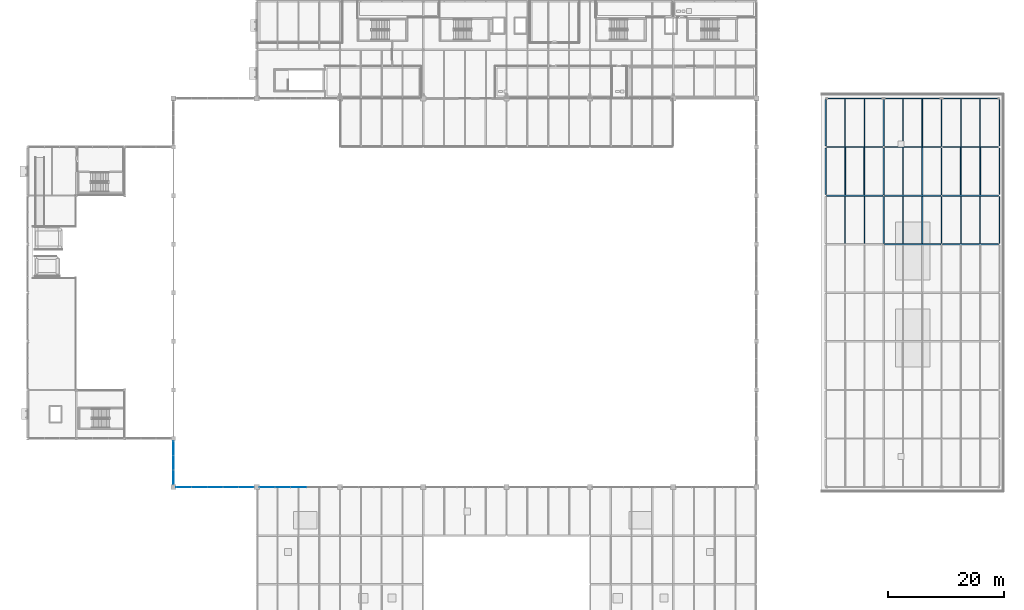
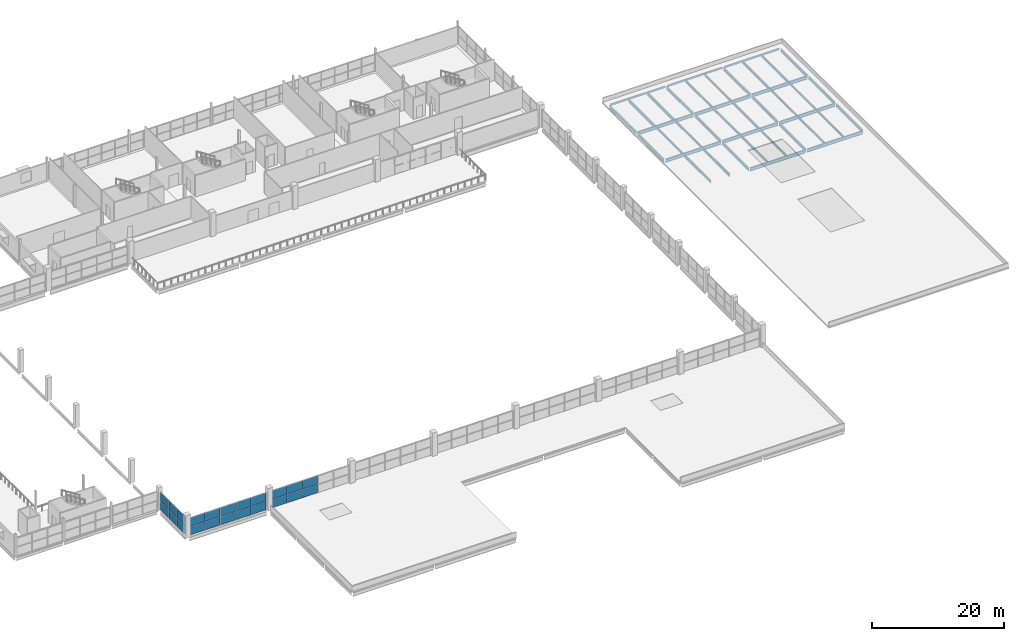
# One storey, part 68 of 93: 40 beams, 22 plates, 3 elements without a shape of their own.
"""IFC4 building model written with IfcOpenShell, lengths in metres."""

from ifc_helpers import new_model, si_unit, direction, frame, origin, origin_2d, place, context, subcontext, project, spatial, rectangle, hollow_rectangle, i_section, extrude, material, layer, layer_set, material_profile, profile_set, type_object, element, aggregate, save


model = new_model("IFC4")

# Units and contexts
model_context = context("Model", 3, precision=1e-05, world=origin(), true_north=direction((0.0, 1.0)))
body_context = subcontext(model_context, "Body", "Model", "MODEL_VIEW")
ifc_project = project(units=[si_unit("LENGTHUNIT", "METRE"), si_unit("AREAUNIT", "SQUARE_METRE"), si_unit("VOLUMEUNIT", "CUBIC_METRE"), si_unit("PLANEANGLEUNIT", "RADIAN"), si_unit("MASSUNIT", "GRAM", prefix="KILO"), si_unit("THERMODYNAMICTEMPERATUREUNIT", "KELVIN")], contexts=[model_context])

# Site, building, storey
site_placement = place(None, origin())
site = spatial("IfcSite", under=ifc_project, at=site_placement, CompositionType="ELEMENT")
building_placement = place(site_placement, origin())
building = spatial("IfcBuilding", under=site, at=building_placement, Name="Nduvali Passage Aquatics Centre", CompositionType="ELEMENT")
storey_placement = place(building_placement, frame((0.0, 0.0, 9.0)))
storey = spatial("IfcBuildingStorey", under=building, at=storey_placement, Name="L02", CompositionType="ELEMENT", Elevation=9.0)

# Beams
ifc_material_1 = material(Name="Steel S355", Category="steel")
ifc_material_profile_1 = material_profile(ifc_material_1, i_section(OverallWidth=0.210693359375, OverallDepth=0.53955078125, WebThickness=0.01171875, FlangeThickness=0.018798828125, FilletRadius=0.0126953125, at=origin_2d()), Name="UKB 533x210x109")
ifc_profile_set_1 = profile_set([ifc_material_profile_1], Name="Steel S355")
beam_type_1 = type_object("IfcBeamType", Name="STR-BM-UKB533", PredefinedType="BEAM", material=ifc_profile_set_1)
beam_1_placement = place(storey_placement, frame((148.0, 67.3349609375, -0.493896484375), z_axis=(0.0, 1.0, 0.0), x_axis=(-1.0, 0.0, 0.0)))
element("IfcBeam", 1, at=beam_1_placement, inside=storey, type_object=beam_type_1, Name="L02 Primary Y-Girder B6-1034", PredefinedType="BEAM", context=body_context, shape_type="SweptSolid", body=[
    extrude(i_section(OverallWidth=0.210693359375, OverallDepth=0.53955078125, WebThickness=0.01171875, FlangeThickness=0.018798828125, FilletRadius=0.0126953125, at=origin_2d()), origin(), (0.0, 0.0, 1.0), 8.130126953125),
])
for number, where, z_axis, x_axis, name in (
    (2, (148.0, 75.735107421875, -0.493896484375), (0.0, 1.0, 0.0), (-1.0, 0.0, 0.0), "L02 Primary Y-Girder B6-1035"),
    (3, (148.0, 84.135009765625, -0.493896484375), (0.0, 1.0, 0.0), (-1.0, 0.0, 0.0), "L02 Primary Y-Girder B6-1036"),
):
    element("IfcBeam", number, at=place(storey_placement, frame(where, z_axis=z_axis, x_axis=x_axis)), inside=storey, type_object=beam_type_1, Name=name, PredefinedType="BEAM", context=body_context, shape_type="SweptSolid", body=[
        extrude(i_section(OverallWidth=0.210693359375, OverallDepth=0.53955078125, WebThickness=0.01171875, FlangeThickness=0.018798828125, FilletRadius=0.0126953125, at=origin_2d()), origin(), (0.0, 0.0, 1.0), 8.1298828125),
    ])
for number, where, z_axis, x_axis, name in (
    (4, (158.0, 67.330078125, -0.493896484375), (0.0, 1.0, 0.0), (-1.0, 0.0, 0.0), "L02 Primary Y-Girder B6-1042"),
    (5, (158.0, 75.72998046875, -0.493896484375), (0.0, 1.0, 0.0), (-1.0, 0.0, 0.0), "L02 Primary Y-Girder B6-1043"),
    (6, (158.0, 84.130126953125, -0.493896484375), (0.0, 1.0, 0.0), (-1.0, 0.0, 0.0), "L02 Primary Y-Girder B6-1044"),
):
    element("IfcBeam", number, at=place(storey_placement, frame(where, z_axis=z_axis, x_axis=x_axis)), inside=storey, type_object=beam_type_1, Name=name, PredefinedType="BEAM", context=body_context, shape_type="SweptSolid", body=[
        extrude(i_section(OverallWidth=0.210693359375, OverallDepth=0.53955078125, WebThickness=0.01171875, FlangeThickness=0.018798828125, FilletRadius=0.0126953125, at=origin_2d()), origin(), (0.0, 0.0, 1.0), 8.139892578125),
    ])
ifc_material_profile_2 = material_profile(ifc_material_1, i_section(OverallWidth=0.210693359375, OverallDepth=0.53955078125, WebThickness=0.01171875, FlangeThickness=0.018798828125, FilletRadius=0.0126953125, at=origin_2d()), Name="UKB 533x210x109")
ifc_profile_set_2 = profile_set([ifc_material_profile_2], Name="Steel S355")
beam_type_2 = type_object("IfcBeamType", Name="STR-BM-UKB533-EXT", PredefinedType="BEAM", material=ifc_profile_set_2)
for number, where, z_axis, x_axis, name in (
    (7, (138.0, 75.75, -0.493896484375), (0.0, 1.0, 0.0), (-1.0, 0.0, 0.0), "L02 Primary Y-Girder B6E-1027"),
    (8, (138.0, 84.14990234375, -0.493896484375), (0.0, 1.0, 0.0), (-1.0, 0.0, 0.0), "L02 Primary Y-Girder B6E-1028"),
):
    element("IfcBeam", number, at=place(storey_placement, frame(where, z_axis=z_axis, x_axis=x_axis)), inside=storey, type_object=beam_type_2, Name=name, PredefinedType="BEAM", context=body_context, shape_type="SweptSolid", body=[
        extrude(i_section(OverallWidth=0.210693359375, OverallDepth=0.53955078125, WebThickness=0.01171875, FlangeThickness=0.018798828125, FilletRadius=0.0126953125, at=origin_2d()), origin(), (0.0, 0.0, 1.0), 8.10009765625),
    ])
for number, where, z_axis, x_axis, name in (
    (9, (168.0, 67.35498046875, -0.493896484375), (0.0, 1.0, 0.0), (-1.0, 0.0, 0.0), "L02 Primary Y-Girder B6E-1050"),
    (10, (168.0, 75.7548828125, -0.493896484375), (0.0, 1.0, 0.0), (-1.0, 0.0, 0.0), "L02 Primary Y-Girder B6E-1051"),
    (11, (168.0, 84.155029296875, -0.493896484375), (0.0, 1.0, 0.0), (-1.0, 0.0, 0.0), "L02 Primary Y-Girder B6E-1052"),
):
    element("IfcBeam", number, at=place(storey_placement, frame(where, z_axis=z_axis, x_axis=x_axis)), inside=storey, type_object=beam_type_2, Name=name, PredefinedType="BEAM", context=body_context, shape_type="SweptSolid", body=[
        extrude(i_section(OverallWidth=0.210693359375, OverallDepth=0.53955078125, WebThickness=0.01171875, FlangeThickness=0.018798828125, FilletRadius=0.0126953125, at=origin_2d()), origin(), (0.0, 0.0, 1.0), 8.090087890625),
    ])
ifc_material_profile_3 = material_profile(ifc_material_1, i_section(OverallWidth=0.22900390625, OverallDepth=0.6123046875, WebThickness=0.011962890625, FlangeThickness=0.01953125, FilletRadius=0.0126953125, at=origin_2d()), Name="UKB 610x229x125")
ifc_profile_set_3 = profile_set([ifc_material_profile_3], Name="Steel S355")
beam_type_3 = type_object("IfcBeamType", Name="STR-BM-UKB610", PredefinedType="BEAM", material=ifc_profile_set_3)
beam_2_placement = place(storey_placement, frame((148.139892578125, 67.199951171875, -0.530029296875), z_axis=(1.0, 0.0, 0.0), x_axis=(0.0, 1.0, 0.0)))
element("IfcBeam", 12, at=beam_2_placement, inside=storey, type_object=beam_type_3, Name="L02 Primary X-Girder B5-0903", PredefinedType="BEAM", context=body_context, shape_type="SweptSolid", body=[
    extrude(i_section(OverallWidth=0.22900390625, OverallDepth=0.6123046875, WebThickness=0.011962890625, FlangeThickness=0.01953125, FilletRadius=0.0126953125, at=origin_2d()), origin(), (0.0, 0.0, 1.0), 9.73193359375),
])
beam_3_placement = place(storey_placement, frame((158.128173828125, 67.199951171875, -0.530029296875), z_axis=(1.0, 0.0, 0.0), x_axis=(0.0, 1.0, 0.0)))
element("IfcBeam", 13, at=beam_3_placement, inside=storey, type_object=beam_type_3, Name="L02 Primary X-Girder B5-0904", PredefinedType="BEAM", context=body_context, shape_type="SweptSolid", body=[
    extrude(i_section(OverallWidth=0.22900390625, OverallDepth=0.6123046875, WebThickness=0.011962890625, FlangeThickness=0.01953125, FilletRadius=0.0126953125, at=origin_2d()), origin(), (0.0, 0.0, 1.0), 9.721923828125),
])
beam_4_placement = place(storey_placement, frame((138.14990234375, 75.60009765625, -0.530029296875), z_axis=(1.0, 0.0, 0.0), x_axis=(0.0, 1.0, 0.0)))
element("IfcBeam", 14, at=beam_4_placement, inside=storey, type_object=beam_type_3, Name="L02 Primary X-Girder B5-0908", PredefinedType="BEAM", context=body_context, shape_type="SweptSolid", body=[
    extrude(i_section(OverallWidth=0.22900390625, OverallDepth=0.6123046875, WebThickness=0.011962890625, FlangeThickness=0.01953125, FilletRadius=0.0126953125, at=origin_2d()), origin(), (0.0, 0.0, 1.0), 9.710205078125),
])
beam_5_placement = place(storey_placement, frame((148.139892578125, 75.60009765625, -0.530029296875), z_axis=(1.0, 0.0, 0.0), x_axis=(0.0, 1.0, 0.0)))
element("IfcBeam", 15, at=beam_5_placement, inside=storey, type_object=beam_type_3, Name="L02 Primary X-Girder B5-0909", PredefinedType="BEAM", context=body_context, shape_type="SweptSolid", body=[
    extrude(i_section(OverallWidth=0.22900390625, OverallDepth=0.6123046875, WebThickness=0.011962890625, FlangeThickness=0.01953125, FilletRadius=0.0126953125, at=origin_2d()), origin(), (0.0, 0.0, 1.0), 9.73193359375),
])
beam_6_placement = place(storey_placement, frame((158.128173828125, 75.60009765625, -0.530029296875), z_axis=(1.0, 0.0, 0.0), x_axis=(0.0, 1.0, 0.0)))
element("IfcBeam", 16, at=beam_6_placement, inside=storey, type_object=beam_type_3, Name="L02 Primary X-Girder B5-0910", PredefinedType="BEAM", context=body_context, shape_type="SweptSolid", body=[
    extrude(i_section(OverallWidth=0.22900390625, OverallDepth=0.6123046875, WebThickness=0.011962890625, FlangeThickness=0.01953125, FilletRadius=0.0126953125, at=origin_2d()), origin(), (0.0, 0.0, 1.0), 9.721923828125),
])
beam_7_placement = place(storey_placement, frame((138.14990234375, 84.0, -0.530029296875), z_axis=(1.0, 0.0, 0.0), x_axis=(0.0, 1.0, 0.0)))
element("IfcBeam", 17, at=beam_7_placement, inside=storey, type_object=beam_type_3, Name="L02 Primary X-Girder B5-0919", PredefinedType="BEAM", context=body_context, shape_type="SweptSolid", body=[
    extrude(i_section(OverallWidth=0.22900390625, OverallDepth=0.6123046875, WebThickness=0.011962890625, FlangeThickness=0.01953125, FilletRadius=0.0126953125, at=origin_2d()), origin(), (0.0, 0.0, 1.0), 9.710205078125),
])
beam_8_placement = place(storey_placement, frame((148.139892578125, 84.0, -0.530029296875), z_axis=(1.0, 0.0, 0.0), x_axis=(0.0, 1.0, 0.0)))
element("IfcBeam", 18, at=beam_8_placement, inside=storey, type_object=beam_type_3, Name="L02 Primary X-Girder B5-0920", PredefinedType="BEAM", context=body_context, shape_type="SweptSolid", body=[
    extrude(i_section(OverallWidth=0.22900390625, OverallDepth=0.6123046875, WebThickness=0.011962890625, FlangeThickness=0.01953125, FilletRadius=0.0126953125, at=origin_2d()), origin(), (0.0, 0.0, 1.0), 9.73193359375),
])
beam_9_placement = place(storey_placement, frame((158.128173828125, 84.0, -0.530029296875), z_axis=(1.0, 0.0, 0.0), x_axis=(0.0, 1.0, 0.0)))
element("IfcBeam", 19, at=beam_9_placement, inside=storey, type_object=beam_type_3, Name="L02 Primary X-Girder B5-0921", PredefinedType="BEAM", context=body_context, shape_type="SweptSolid", body=[
    extrude(i_section(OverallWidth=0.22900390625, OverallDepth=0.6123046875, WebThickness=0.011962890625, FlangeThickness=0.01953125, FilletRadius=0.0126953125, at=origin_2d()), origin(), (0.0, 0.0, 1.0), 9.721923828125),
])
ifc_material_profile_4 = material_profile(ifc_material_1, i_section(OverallWidth=0.179931640625, OverallDepth=0.39990234375, WebThickness=0.008544921875, FlangeThickness=0.013427734375, FilletRadius=0.02099609375, at=origin_2d()), Name="IPE 400")
ifc_profile_set_4 = profile_set([ifc_material_profile_4], Name="Steel S355")
beam_type_4 = type_object("IfcBeamType", Name="STR-JST-IPE400", PredefinedType="JOIST", material=ifc_profile_set_4)
for number, where, z_axis, x_axis, name in (
    (20, (161.333251953125, 67.314453125, -0.424072265625), (0.0, 1.0, 0.0), (-1.0, 0.0, 0.0), "L02 Secondary Joist J5-1130"),
    (21, (164.666748046875, 67.314453125, -0.424072265625), (0.0, 1.0, 0.0), (-1.0, 0.0, 0.0), "L02 Secondary Joist J5-1131"),
):
    element("IfcBeam", number, at=place(storey_placement, frame(where, z_axis=z_axis, x_axis=x_axis)), inside=storey, type_object=beam_type_4, Name=name, PredefinedType="JOIST", context=body_context, shape_type="SweptSolid", body=[
        extrude(i_section(OverallWidth=0.179931640625, OverallDepth=0.39990234375, WebThickness=0.008544921875, FlangeThickness=0.013427734375, FilletRadius=0.02099609375, at=origin_2d()), origin(), (0.0, 0.0, 1.0), 8.171142578125),
    ])
ifc_material_profile_5 = material_profile(ifc_material_1, i_section(OverallWidth=0.18994140625, OverallDepth=0.449951171875, WebThickness=0.009521484375, FlangeThickness=0.0146484375, FilletRadius=0.02099609375, at=origin_2d()), Name="IPE 450")
ifc_profile_set_5 = profile_set([ifc_material_profile_5], Name="Steel S355")
beam_type_5 = type_object("IfcBeamType", Name="STR-JST-IPE450", PredefinedType="JOIST", material=ifc_profile_set_5)
for number, where, z_axis, x_axis, name in (
    (22, (151.333251953125, 75.714599609375, -0.448974609375), (0.0, 1.0, 0.0), (-1.0, 0.0, 0.0), "L02 Secondary Joist J5B-1136"),
    (23, (154.666748046875, 75.714599609375, -0.448974609375), (0.0, 1.0, 0.0), (-1.0, 0.0, 0.0), "L02 Secondary Joist J5B-1137"),
):
    element("IfcBeam", number, at=place(storey_placement, frame(where, z_axis=z_axis, x_axis=x_axis)), inside=storey, type_object=beam_type_5, Name=name, PredefinedType="JOIST", context=body_context, shape_type="SweptSolid", body=[
        extrude(i_section(OverallWidth=0.18994140625, OverallDepth=0.449951171875, WebThickness=0.009521484375, FlangeThickness=0.0146484375, FilletRadius=0.02099609375, at=origin_2d()), origin(), (0.0, 0.0, 1.0), 8.1708984375),
    ])
for number, where, z_axis, x_axis, name in (
    (24, (161.333251953125, 84.114501953125, -0.448974609375), (0.0, 1.0, 0.0), (-1.0, 0.0, 0.0), "L02 Secondary Joist J5B-1159"),
    (25, (164.666748046875, 84.114501953125, -0.448974609375), (0.0, 1.0, 0.0), (-1.0, 0.0, 0.0), "L02 Secondary Joist J5B-1160"),
):
    element("IfcBeam", number, at=place(storey_placement, frame(where, z_axis=z_axis, x_axis=x_axis)), inside=storey, type_object=beam_type_5, Name=name, PredefinedType="JOIST", context=body_context, shape_type="SweptSolid", body=[
        extrude(i_section(OverallWidth=0.18994140625, OverallDepth=0.449951171875, WebThickness=0.009521484375, FlangeThickness=0.0146484375, FilletRadius=0.02099609375, at=origin_2d()), origin(), (0.0, 0.0, 1.0), 8.185546875),
    ])
ifc_material_profile_6 = material_profile(ifc_material_1, i_section(OverallWidth=0.199951171875, OverallDepth=0.5, WebThickness=0.01025390625, FlangeThickness=0.01611328125, FilletRadius=0.02099609375, at=origin_2d()), Name="IPE 500")
ifc_profile_set_6 = profile_set([ifc_material_profile_6], Name="Steel S355")
beam_type_6 = type_object("IfcBeamType", Name="STR-JST-IPE500", PredefinedType="JOIST", material=ifc_profile_set_6)
for number, where, z_axis, x_axis, name in (
    (26, (141.333251953125, 67.314453125, -0.47412109375), (0.0, 1.0, 0.0), (-1.0, 0.0, 0.0), "L02 Secondary Joist J5A-1126"),
    (27, (144.666748046875, 67.314453125, -0.47412109375), (0.0, 1.0, 0.0), (-1.0, 0.0, 0.0), "L02 Secondary Joist J5A-1127"),
):
    element("IfcBeam", number, at=place(storey_placement, frame(where, z_axis=z_axis, x_axis=x_axis)), inside=storey, type_object=beam_type_6, Name=name, PredefinedType="JOIST", context=body_context, shape_type="SweptSolid", body=[
        extrude(i_section(OverallWidth=0.199951171875, OverallDepth=0.5, WebThickness=0.01025390625, FlangeThickness=0.01611328125, FilletRadius=0.02099609375, at=origin_2d()), origin(), (0.0, 0.0, 1.0), 8.171142578125),
    ])
ifc_material_profile_7 = material_profile(ifc_material_1, i_section(OverallWidth=0.2099609375, OverallDepth=0.550048828125, WebThickness=0.010986328125, FlangeThickness=0.01708984375, FilletRadius=0.02392578125, at=origin_2d()), Name="IPE 550")
ifc_profile_set_7 = profile_set([ifc_material_profile_7], Name="Steel S355")
beam_type_7 = type_object("IfcBeamType", Name="STR-JST-IPE550", PredefinedType="JOIST", material=ifc_profile_set_7)
for number, where, z_axis, x_axis, name in (
    (28, (141.333251953125, 84.114501953125, -0.4990234375), (0.0, 1.0, 0.0), (-1.0, 0.0, 0.0), "L02 Secondary Joist J5C-1155"),
    (29, (144.666748046875, 84.114501953125, -0.4990234375), (0.0, 1.0, 0.0), (-1.0, 0.0, 0.0), "L02 Secondary Joist J5C-1156"),
):
    element("IfcBeam", number, at=place(storey_placement, frame(where, z_axis=z_axis, x_axis=x_axis)), inside=storey, type_object=beam_type_7, Name=name, PredefinedType="JOIST", context=body_context, shape_type="SweptSolid", body=[
        extrude(i_section(OverallWidth=0.2099609375, OverallDepth=0.550048828125, WebThickness=0.010986328125, FlangeThickness=0.01708984375, FilletRadius=0.02392578125, at=origin_2d()), origin(), (0.0, 0.0, 1.0), 8.185546875),
    ])
ifc_material_profile_8 = material_profile(ifc_material_1, i_section(OverallWidth=0.1787109375, OverallDepth=0.409423828125, WebThickness=0.0087890625, FlangeThickness=0.014404296875, FilletRadius=0.01025390625, at=origin_2d()), Name="UKB 406x178x67")
ifc_profile_set_8 = profile_set([ifc_material_profile_8], Name="Steel S355")
beam_type_8 = type_object("IfcBeamType", Name="STR-JST-UKB406", PredefinedType="JOIST", material=ifc_profile_set_8)
for number, where, z_axis, x_axis, name in (
    (30, (151.333251953125, 67.314453125, -0.4287109375), (0.0, 1.0, 0.0), (-1.0, 0.0, 0.0), "L02 Secondary Joist J1-1128"),
    (31, (154.666748046875, 67.314453125, -0.4287109375), (0.0, 1.0, 0.0), (-1.0, 0.0, 0.0), "L02 Secondary Joist J1-1129"),
):
    element("IfcBeam", number, at=place(storey_placement, frame(where, z_axis=z_axis, x_axis=x_axis)), inside=storey, type_object=beam_type_8, Name=name, PredefinedType="JOIST", context=body_context, shape_type="SweptSolid", body=[
        extrude(i_section(OverallWidth=0.1787109375, OverallDepth=0.409423828125, WebThickness=0.0087890625, FlangeThickness=0.014404296875, FilletRadius=0.01025390625, at=origin_2d()), origin(), (0.0, 0.0, 1.0), 8.171142578125),
    ])
ifc_material_profile_9 = material_profile(ifc_material_1, i_section(OverallWidth=0.14208984375, OverallDepth=0.4033203125, WebThickness=0.0068359375, FlangeThickness=0.01123046875, FilletRadius=0.01025390625, at=origin_2d()), Name="UKB 406x140x46")
ifc_profile_set_9 = profile_set([ifc_material_profile_9], Name="Steel S355")
beam_type_9 = type_object("IfcBeamType", Name="STR-JST-UKB406L", PredefinedType="JOIST", material=ifc_profile_set_9)
for number, where, z_axis, x_axis, name in (
    (32, (161.333251953125, 75.714599609375, -0.425537109375), (0.0, 1.0, 0.0), (-1.0, 0.0, 0.0), "L02 Secondary Joist J1B-1138"),
    (33, (164.666748046875, 75.714599609375, -0.425537109375), (0.0, 1.0, 0.0), (-1.0, 0.0, 0.0), "L02 Secondary Joist J1B-1139"),
):
    element("IfcBeam", number, at=place(storey_placement, frame(where, z_axis=z_axis, x_axis=x_axis)), inside=storey, type_object=beam_type_9, Name=name, PredefinedType="JOIST", context=body_context, shape_type="SweptSolid", body=[
        extrude(i_section(OverallWidth=0.14208984375, OverallDepth=0.4033203125, WebThickness=0.0068359375, FlangeThickness=0.01123046875, FilletRadius=0.01025390625, at=origin_2d()), origin(), (0.0, 0.0, 1.0), 8.1708984375),
    ])
ifc_material_profile_10 = material_profile(ifc_material_1, i_section(OverallWidth=0.15283203125, OverallDepth=0.45458984375, WebThickness=0.008056640625, FlangeThickness=0.01318359375, FilletRadius=0.01025390625, at=origin_2d()), Name="UKB 457x152x60")
ifc_profile_set_10 = profile_set([ifc_material_profile_10], Name="Steel S355")
beam_type_10 = type_object("IfcBeamType", Name="STR-JST-UKB457L", PredefinedType="JOIST", material=ifc_profile_set_10)
for number, where, z_axis, x_axis, name in (
    (34, (141.333251953125, 75.714599609375, -0.451416015625), (0.0, 1.0, 0.0), (-1.0, 0.0, 0.0), "L02 Secondary Joist J1A-1134"),
    (35, (144.666748046875, 75.714599609375, -0.451416015625), (0.0, 1.0, 0.0), (-1.0, 0.0, 0.0), "L02 Secondary Joist J1A-1135"),
):
    element("IfcBeam", number, at=place(storey_placement, frame(where, z_axis=z_axis, x_axis=x_axis)), inside=storey, type_object=beam_type_10, Name=name, PredefinedType="JOIST", context=body_context, shape_type="SweptSolid", body=[
        extrude(i_section(OverallWidth=0.15283203125, OverallDepth=0.45458984375, WebThickness=0.008056640625, FlangeThickness=0.01318359375, FilletRadius=0.01025390625, at=origin_2d()), origin(), (0.0, 0.0, 1.0), 8.1708984375),
    ])
for number, where, z_axis, x_axis, name in (
    (36, (151.333251953125, 84.114501953125, -0.451416015625), (0.0, 1.0, 0.0), (-1.0, 0.0, 0.0), "L02 Secondary Joist J1A-1157"),
    (37, (154.666748046875, 84.114501953125, -0.451416015625), (0.0, 1.0, 0.0), (-1.0, 0.0, 0.0), "L02 Secondary Joist J1A-1158"),
):
    element("IfcBeam", number, at=place(storey_placement, frame(where, z_axis=z_axis, x_axis=x_axis)), inside=storey, type_object=beam_type_10, Name=name, PredefinedType="JOIST", context=body_context, shape_type="SweptSolid", body=[
        extrude(i_section(OverallWidth=0.15283203125, OverallDepth=0.45458984375, WebThickness=0.008056640625, FlangeThickness=0.01318359375, FilletRadius=0.01025390625, at=origin_2d()), origin(), (0.0, 0.0, 1.0), 8.185546875),
    ])
ifc_material_profile_11 = material_profile(ifc_material_1, hollow_rectangle(XDim=0.199951171875, YDim=0.300048828125, WallThickness=0.010009765625, at=origin_2d()), Name="RHS 300x200x10.0")
ifc_profile_set_11 = profile_set([ifc_material_profile_11], Name="Steel S355")
beam_type_11 = type_object("IfcBeamType", Name="STR-SPN-RHS300-EXT", PredefinedType="SPANDREL", material=ifc_profile_set_11)
beam_10_placement = place(storey_placement, frame((138.166015625, 92.39990234375, -0.3740234375), z_axis=(1.0, 0.0, 0.0), x_axis=(0.0, 1.0, 0.0)))
element("IfcBeam", 38, at=beam_10_placement, inside=storey, type_object=beam_type_11, Name="L02 Primary X-Girder SP3E-0929", PredefinedType="SPANDREL", context=body_context, shape_type="SweptSolid", body=[
    extrude(hollow_rectangle(XDim=0.199951171875, YDim=0.300048828125, WallThickness=0.010009765625, at=origin_2d()), origin(), (0.0, 0.0, 1.0), 9.677978515625),
])
beam_11_placement = place(storey_placement, frame((148.156005859375, 92.39990234375, -0.3740234375), z_axis=(1.0, 0.0, 0.0), x_axis=(0.0, 1.0, 0.0)))
element("IfcBeam", 39, at=beam_11_placement, inside=storey, type_object=beam_type_11, Name="L02 Primary X-Girder SP3E-0930", PredefinedType="SPANDREL", context=body_context, shape_type="SweptSolid", body=[
    extrude(hollow_rectangle(XDim=0.199951171875, YDim=0.300048828125, WallThickness=0.010009765625, at=origin_2d()), origin(), (0.0, 0.0, 1.0), 9.699951171875),
])
beam_12_placement = place(storey_placement, frame((158.14404296875, 92.39990234375, -0.3740234375), z_axis=(1.0, 0.0, 0.0), x_axis=(0.0, 1.0, 0.0)))
element("IfcBeam", 40, at=beam_12_placement, inside=storey, type_object=beam_type_11, Name="L02 Primary X-Girder SP3E-0931", PredefinedType="SPANDREL", context=body_context, shape_type="SweptSolid", body=[
    extrude(hollow_rectangle(XDim=0.199951171875, YDim=0.300048828125, WallThickness=0.010009765625, at=origin_2d()), origin(), (0.0, 0.0, 1.0), 9.68994140625),
])

# Curtain wall, plates
ifc_material_2 = material(Name="Aluminium EN AW-6063 T6", Category="aluminium")
curtain_wall_type = type_object("IfcCurtainWallType", Name="ENV-CW-CLER", PredefinedType="NOTDEFINED", material=ifc_material_2)
curtain_wall_1_placement = place(storey_placement, origin())
curtain_wall_1 = element("IfcCurtainWall", 41, at=curtain_wall_1_placement, inside=storey, type_object=curtain_wall_type, Name="L02 West Pool Hall Mid Clerestory 003", PredefinedType="NOTDEFINED")
ifc_material_3 = material(Name="Laminated solar-control low-E IGU")
ifc_layer = layer(ifc_material_3, 0.031982421875, Name="Laminated solar-control low-E IGU")
ifc_layer_set = layer_set([ifc_layer], Name="Laminated solar-control low-E IGU")
plate_type = type_object("IfcPlateType", Name="ENV-PLT-GLZ32", PredefinedType="CURTAIN_PANEL", material=ifc_layer_set)
plate_1_placement = place(storey_placement, frame((25.199951171875, 26.927490234375, 0.06005859375), z_axis=(0.0, 0.0, 1.0), x_axis=(0.0, 1.0, 0.0)))
plate_1 = element("IfcPlate", 42, at=plate_1_placement, type_object=plate_type, Name="West Pool Hall Mid Clerestory Glazed Panel B1-R1", PredefinedType="CURTAIN_PANEL", context=body_context, shape_type="SweptSolid", body=[
    extrude(rectangle(XDim=2.43505859375, YDim=0.031982421875, at=origin_2d()), origin(), (0.0, 0.0, 1.0), 1.61328125),
])
plate_2_placement = place(storey_placement, frame((25.199951171875, 26.927490234375, 1.733154296875), z_axis=(0.0, 0.0, 1.0), x_axis=(0.0, 1.0, 0.0)))
plate_2 = element("IfcPlate", 43, at=plate_2_placement, type_object=plate_type, Name="West Pool Hall Mid Clerestory Glazed Panel B1-R2", PredefinedType="CURTAIN_PANEL", context=body_context, shape_type="SweptSolid", body=[
    extrude(rectangle(XDim=2.43505859375, YDim=0.031982421875, at=origin_2d()), origin(), (0.0, 0.0, 1.0), 1.61328125),
])
plate_3_placement = place(storey_placement, frame((25.199951171875, 29.4375, 0.06005859375), z_axis=(0.0, 0.0, 1.0), x_axis=(0.0, 1.0, 0.0)))
plate_3 = element("IfcPlate", 44, at=plate_3_placement, type_object=plate_type, Name="West Pool Hall Mid Clerestory Glazed Panel B2-R1", PredefinedType="CURTAIN_PANEL", context=body_context, shape_type="SweptSolid", body=[
    extrude(rectangle(XDim=2.465087890625, YDim=0.031982421875, at=origin_2d()), origin(), (0.0, 0.0, 1.0), 1.61328125),
])
plate_4_placement = place(storey_placement, frame((25.199951171875, 29.4375, 1.733154296875), z_axis=(0.0, 0.0, 1.0), x_axis=(0.0, 1.0, 0.0)))
plate_4 = element("IfcPlate", 45, at=plate_4_placement, type_object=plate_type, Name="West Pool Hall Mid Clerestory Glazed Panel B2-R2", PredefinedType="CURTAIN_PANEL", context=body_context, shape_type="SweptSolid", body=[
    extrude(rectangle(XDim=2.465087890625, YDim=0.031982421875, at=origin_2d()), origin(), (0.0, 0.0, 1.0), 1.61328125),
])
plate_5_placement = place(storey_placement, frame((25.199951171875, 31.947509765625, 0.06005859375), z_axis=(0.0, 0.0, 1.0), x_axis=(0.0, 1.0, 0.0)))
plate_5 = element("IfcPlate", 46, at=plate_5_placement, type_object=plate_type, Name="West Pool Hall Mid Clerestory Glazed Panel B3-R1", PredefinedType="CURTAIN_PANEL", context=body_context, shape_type="SweptSolid", body=[
    extrude(rectangle(XDim=2.43505859375, YDim=0.031982421875, at=origin_2d()), origin(), (0.0, 0.0, 1.0), 1.61328125),
])
plate_6_placement = place(storey_placement, frame((25.199951171875, 31.947509765625, 1.733154296875), z_axis=(0.0, 0.0, 1.0), x_axis=(0.0, 1.0, 0.0)))
plate_6 = element("IfcPlate", 47, at=plate_6_placement, type_object=plate_type, Name="West Pool Hall Mid Clerestory Glazed Panel B3-R2", PredefinedType="CURTAIN_PANEL", context=body_context, shape_type="SweptSolid", body=[
    extrude(rectangle(XDim=2.43505859375, YDim=0.031982421875, at=origin_2d()), origin(), (0.0, 0.0, 1.0), 1.61328125),
])
aggregate(curtain_wall_1, [plate_1, plate_2, plate_3, plate_4, plate_5, plate_6])

curtain_wall_2_placement = place(storey_placement, origin())
curtain_wall_2 = element("IfcCurtainWall", 48, at=curtain_wall_2_placement, inside=storey, type_object=curtain_wall_type, Name="L02 South Pool Hall Corner Clerestory 045", PredefinedType="NOTDEFINED")
plate_7_placement = place(storey_placement, frame((27.014892578125, 25.199951171875, 0.06005859375), z_axis=(0.0, 0.0, 1.0), x_axis=(1.0, 0.0, 0.0)))
plate_7 = element("IfcPlate", 49, at=plate_7_placement, type_object=plate_type, Name="South Pool Hall Corner Clerestory Glazed Panel B1-R1", PredefinedType="CURTAIN_PANEL", context=body_context, shape_type="SweptSolid", body=[
    extrude(rectangle(XDim=2.610107421875, YDim=0.031982421875, at=origin_2d()), origin(), (0.0, 0.0, 1.0), 1.541259765625),
])
plate_8_placement = place(storey_placement, frame((27.014892578125, 25.199951171875, 1.6611328125), z_axis=(0.0, 0.0, 1.0), x_axis=(1.0, 0.0, 0.0)))
plate_8 = element("IfcPlate", 50, at=plate_8_placement, type_object=plate_type, Name="South Pool Hall Corner Clerestory Glazed Panel B1-R2", PredefinedType="CURTAIN_PANEL", context=body_context, shape_type="SweptSolid", body=[
    extrude(rectangle(XDim=2.610107421875, YDim=0.031982421875, at=origin_2d()), origin(), (0.0, 0.0, 1.0), 1.541259765625),
])
plate_9_placement = place(storey_placement, frame((29.699951171875, 25.199951171875, 0.06005859375), z_axis=(0.0, 0.0, 1.0), x_axis=(1.0, 0.0, 0.0)))
plate_9 = element("IfcPlate", 51, at=plate_9_placement, type_object=plate_type, Name="South Pool Hall Corner Clerestory Glazed Panel B2-R1", PredefinedType="CURTAIN_PANEL", context=body_context, shape_type="SweptSolid", body=[
    extrude(rectangle(XDim=2.639892578125, YDim=0.031982421875, at=origin_2d()), origin(), (0.0, 0.0, 1.0), 1.541259765625),
])
plate_10_placement = place(storey_placement, frame((29.699951171875, 25.199951171875, 1.6611328125), z_axis=(0.0, 0.0, 1.0), x_axis=(1.0, 0.0, 0.0)))
plate_10 = element("IfcPlate", 52, at=plate_10_placement, type_object=plate_type, Name="South Pool Hall Corner Clerestory Glazed Panel B2-R2", PredefinedType="CURTAIN_PANEL", context=body_context, shape_type="SweptSolid", body=[
    extrude(rectangle(XDim=2.639892578125, YDim=0.031982421875, at=origin_2d()), origin(), (0.0, 0.0, 1.0), 1.541259765625),
])
plate_11_placement = place(storey_placement, frame((32.39990234375, 25.199951171875, 0.06005859375), z_axis=(0.0, 0.0, 1.0), x_axis=(1.0, 0.0, 0.0)))
plate_11 = element("IfcPlate", 53, at=plate_11_placement, type_object=plate_type, Name="South Pool Hall Corner Clerestory Glazed Panel B3-R1", PredefinedType="CURTAIN_PANEL", context=body_context, shape_type="SweptSolid", body=[
    extrude(rectangle(XDim=2.639892578125, YDim=0.031982421875, at=origin_2d()), origin(), (0.0, 0.0, 1.0), 1.541259765625),
])
plate_12_placement = place(storey_placement, frame((32.39990234375, 25.199951171875, 1.6611328125), z_axis=(0.0, 0.0, 1.0), x_axis=(1.0, 0.0, 0.0)))
plate_12 = element("IfcPlate", 54, at=plate_12_placement, type_object=plate_type, Name="South Pool Hall Corner Clerestory Glazed Panel B3-R2", PredefinedType="CURTAIN_PANEL", context=body_context, shape_type="SweptSolid", body=[
    extrude(rectangle(XDim=2.639892578125, YDim=0.031982421875, at=origin_2d()), origin(), (0.0, 0.0, 1.0), 1.541259765625),
])
plate_13_placement = place(storey_placement, frame((35.10009765625, 25.199951171875, 0.06005859375), z_axis=(0.0, 0.0, 1.0), x_axis=(1.0, 0.0, 0.0)))
plate_13 = element("IfcPlate", 55, at=plate_13_placement, type_object=plate_type, Name="South Pool Hall Corner Clerestory Glazed Panel B4-R1", PredefinedType="CURTAIN_PANEL", context=body_context, shape_type="SweptSolid", body=[
    extrude(rectangle(XDim=2.639892578125, YDim=0.031982421875, at=origin_2d()), origin(), (0.0, 0.0, 1.0), 1.541259765625),
])
plate_14_placement = place(storey_placement, frame((35.10009765625, 25.199951171875, 1.6611328125), z_axis=(0.0, 0.0, 1.0), x_axis=(1.0, 0.0, 0.0)))
plate_14 = element("IfcPlate", 56, at=plate_14_placement, type_object=plate_type, Name="South Pool Hall Corner Clerestory Glazed Panel B4-R2", PredefinedType="CURTAIN_PANEL", context=body_context, shape_type="SweptSolid", body=[
    extrude(rectangle(XDim=2.639892578125, YDim=0.031982421875, at=origin_2d()), origin(), (0.0, 0.0, 1.0), 1.541259765625),
])
plate_15_placement = place(storey_placement, frame((37.784912109375, 25.199951171875, 0.06005859375), z_axis=(0.0, 0.0, 1.0), x_axis=(1.0, 0.0, 0.0)))
plate_15 = element("IfcPlate", 57, at=plate_15_placement, type_object=plate_type, Name="South Pool Hall Corner Clerestory Glazed Panel B5-R1", PredefinedType="CURTAIN_PANEL", context=body_context, shape_type="SweptSolid", body=[
    extrude(rectangle(XDim=2.610107421875, YDim=0.031982421875, at=origin_2d()), origin(), (0.0, 0.0, 1.0), 1.541259765625),
])
plate_16_placement = place(storey_placement, frame((37.784912109375, 25.199951171875, 1.6611328125), z_axis=(0.0, 0.0, 1.0), x_axis=(1.0, 0.0, 0.0)))
plate_16 = element("IfcPlate", 58, at=plate_16_placement, type_object=plate_type, Name="South Pool Hall Corner Clerestory Glazed Panel B5-R2", PredefinedType="CURTAIN_PANEL", context=body_context, shape_type="SweptSolid", body=[
    extrude(rectangle(XDim=2.610107421875, YDim=0.031982421875, at=origin_2d()), origin(), (0.0, 0.0, 1.0), 1.541259765625),
])
aggregate(curtain_wall_2, [plate_7, plate_8, plate_9, plate_10, plate_11, plate_12, plate_13, plate_14, plate_15, plate_16])

curtain_wall_3_placement = place(storey_placement, origin())
curtain_wall_3 = element("IfcCurtainWall", 59, at=curtain_wall_3_placement, inside=storey, type_object=curtain_wall_type, Name="L02 South Pool Hall Eave Clerestory 047", PredefinedType="NOTDEFINED")
plate_17_placement = place(storey_placement, frame((41.4150390625, 25.199951171875, 0.06005859375), z_axis=(0.0, 0.0, 1.0), x_axis=(1.0, 0.0, 0.0)))
plate_17 = element("IfcPlate", 60, at=plate_17_placement, type_object=plate_type, Name="South Pool Hall Eave Clerestory Glazed Panel B1-R1", PredefinedType="CURTAIN_PANEL", context=body_context, shape_type="SweptSolid", body=[
    extrude(rectangle(XDim=2.610107421875, YDim=0.031982421875, at=origin_2d()), origin(), (0.0, 0.0, 1.0), 1.541259765625),
])
plate_18_placement = place(storey_placement, frame((41.4150390625, 25.199951171875, 1.6611328125), z_axis=(0.0, 0.0, 1.0), x_axis=(1.0, 0.0, 0.0)))
plate_18 = element("IfcPlate", 61, at=plate_18_placement, type_object=plate_type, Name="South Pool Hall Eave Clerestory Glazed Panel B1-R2", PredefinedType="CURTAIN_PANEL", context=body_context, shape_type="SweptSolid", body=[
    extrude(rectangle(XDim=2.610107421875, YDim=0.031982421875, at=origin_2d()), origin(), (0.0, 0.0, 1.0), 1.541259765625),
])
plate_19_placement = place(storey_placement, frame((44.10009765625, 25.199951171875, 0.06005859375), z_axis=(0.0, 0.0, 1.0), x_axis=(1.0, 0.0, 0.0)))
plate_19 = element("IfcPlate", 62, at=plate_19_placement, type_object=plate_type, Name="South Pool Hall Eave Clerestory Glazed Panel B2-R1", PredefinedType="CURTAIN_PANEL", context=body_context, shape_type="SweptSolid", body=[
    extrude(rectangle(XDim=2.639892578125, YDim=0.031982421875, at=origin_2d()), origin(), (0.0, 0.0, 1.0), 1.541259765625),
])
plate_20_placement = place(storey_placement, frame((44.10009765625, 25.199951171875, 1.6611328125), z_axis=(0.0, 0.0, 1.0), x_axis=(1.0, 0.0, 0.0)))
plate_20 = element("IfcPlate", 63, at=plate_20_placement, type_object=plate_type, Name="South Pool Hall Eave Clerestory Glazed Panel B2-R2", PredefinedType="CURTAIN_PANEL", context=body_context, shape_type="SweptSolid", body=[
    extrude(rectangle(XDim=2.639892578125, YDim=0.031982421875, at=origin_2d()), origin(), (0.0, 0.0, 1.0), 1.541259765625),
])
plate_21_placement = place(storey_placement, frame((46.800048828125, 25.199951171875, 0.06005859375), z_axis=(0.0, 0.0, 1.0), x_axis=(1.0, 0.0, 0.0)))
plate_21 = element("IfcPlate", 64, at=plate_21_placement, type_object=plate_type, Name="South Pool Hall Eave Clerestory Glazed Panel B3-R1", PredefinedType="CURTAIN_PANEL", context=body_context, shape_type="SweptSolid", body=[
    extrude(rectangle(XDim=2.639892578125, YDim=0.031982421875, at=origin_2d()), origin(), (0.0, 0.0, 1.0), 1.541259765625),
])
plate_22_placement = place(storey_placement, frame((46.800048828125, 25.199951171875, 1.6611328125), z_axis=(0.0, 0.0, 1.0), x_axis=(1.0, 0.0, 0.0)))
plate_22 = element("IfcPlate", 65, at=plate_22_placement, type_object=plate_type, Name="South Pool Hall Eave Clerestory Glazed Panel B3-R2", PredefinedType="CURTAIN_PANEL", context=body_context, shape_type="SweptSolid", body=[
    extrude(rectangle(XDim=2.639892578125, YDim=0.031982421875, at=origin_2d()), origin(), (0.0, 0.0, 1.0), 1.541259765625),
])
aggregate(curtain_wall_3, [plate_17, plate_18, plate_19, plate_20, plate_21, plate_22])

save(model, "model.ifc")
